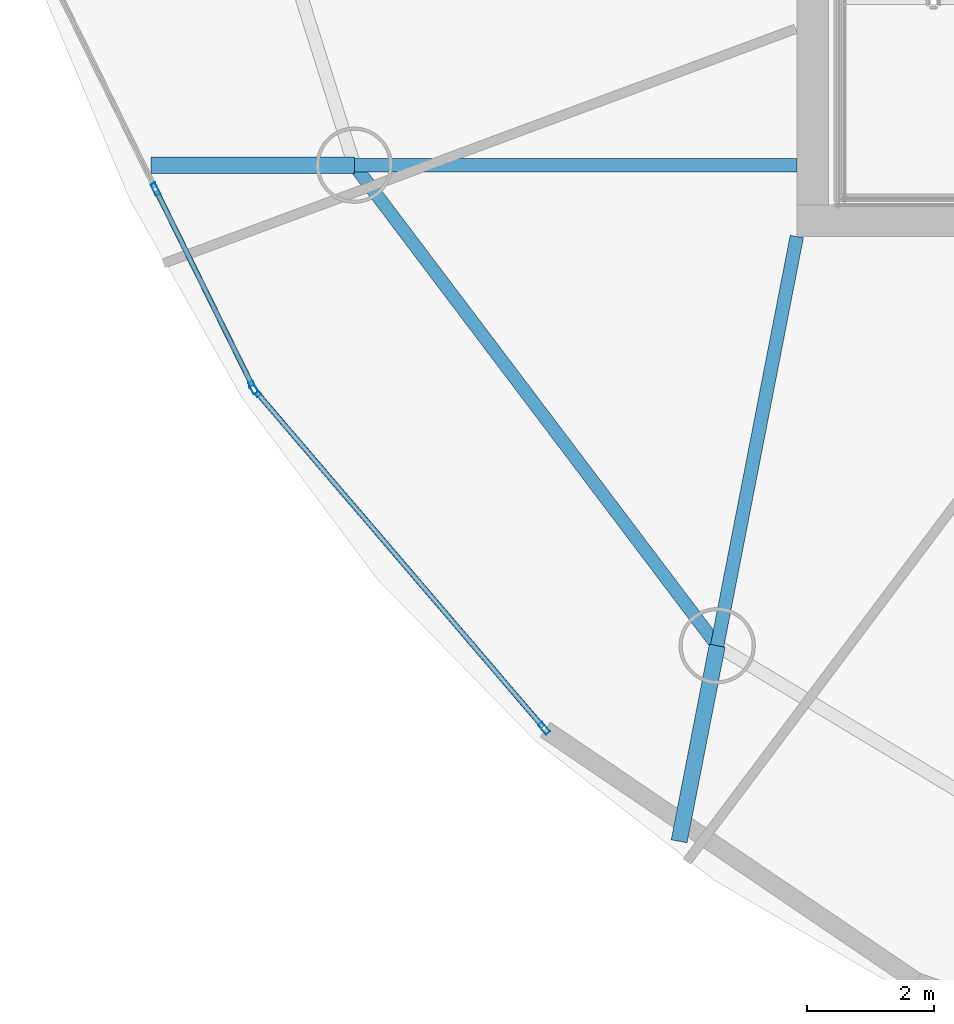
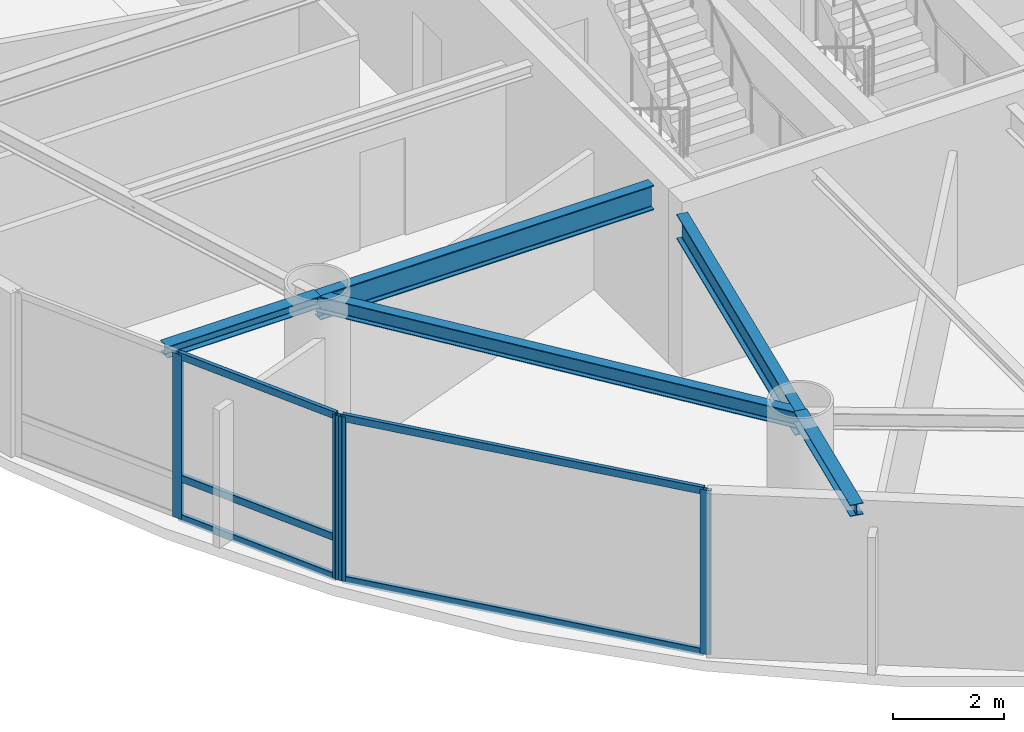
# One storey, part 2 of 19: 9 members, 5 beams, 2 elements without a shape of their own.
"""IFC4 building model written with IfcOpenShell, lengths in metres."""

from ifc_helpers import new_model, si_unit, direction, frame, origin, origin_2d, place, context, subcontext, project, spatial, hollow_rectangle, i_section, extrude, material, layer, layer_set, material_profile, profile_set, type_object, element, aggregate, save


model = new_model("IFC4")

# Units and contexts
model_context = context("Model", 3, precision=1e-05, world=origin(), true_north=direction((0.0, 1.0)))
body_context = subcontext(model_context, "Body", "Model", "MODEL_VIEW")
ifc_project = project(units=[si_unit("LENGTHUNIT", "METRE"), si_unit("AREAUNIT", "SQUARE_METRE"), si_unit("VOLUMEUNIT", "CUBIC_METRE"), si_unit("PLANEANGLEUNIT", "RADIAN"), si_unit("MASSUNIT", "GRAM", prefix="KILO")], contexts=[model_context])

# Site, building, storey
site_placement = place(None, origin())
site = spatial("IfcSite", under=ifc_project, at=site_placement, CompositionType="ELEMENT")
building_placement = place(site_placement, origin())
building = spatial("IfcBuilding", under=site, at=building_placement, Name="Bramvorn Convention Spire", CompositionType="ELEMENT")
storey_placement = place(building_placement, frame((0.0, 0.0, 198.14990234375)))
storey = spatial("IfcBuildingStorey", under=building, at=storey_placement, Name="L50", CompositionType="ELEMENT", Elevation=198.14990234375)

# Beams
ifc_material_1 = material(Name="Steel CSA G40.21 Grade 350 (350W)", Category="steel")
ifc_material_profile_1 = material_profile(ifc_material_1, i_section(OverallWidth=0.25390625, OverallDepth=0.2529296875, WebThickness=0.008544921875, FlangeThickness=0.01416015625, FilletRadius=0.011962890625, at=origin_2d()))
ifc_profile_set_1 = profile_set([ifc_material_profile_1], Name="Steel CSA G40.21 Grade 350 (350W) - W250X73")
beam_type_1 = type_object("IfcBeamType", Name="BM-W250X73", PredefinedType="BEAM", material=ifc_profile_set_1)
beam_1_placement = place(storey_placement, frame((19.78955078125, 19.672607421875, 3.49365234375), z_axis=(-1.0, 0.0, 0.0), x_axis=(0.0, -1.0, 0.0)))
element("IfcBeam", 1, at=beam_1_placement, inside=storey, type_object=beam_type_1, Name="L50 slab-edge cantilever tip beam MC12", PredefinedType="BEAM", context=body_context, shape_type="SweptSolid", body=[
    extrude(i_section(OverallWidth=0.25390625, OverallDepth=0.2529296875, WebThickness=0.008544921875, FlangeThickness=0.01416015625, FilletRadius=0.011962890625, at=origin_2d()), origin(), (0.0, 0.0, 1.0), 3.199951171875),
])
beam_2_placement = place(storey_placement, frame((25.498046875, 12.114990234375, 3.49365234375), z_axis=(-0.19097597644, -0.981594710878, 0.0), x_axis=(0.981594710878, -0.19097597644, 0.0)))
element("IfcBeam", 2, at=beam_2_placement, inside=storey, type_object=beam_type_1, Name="L50 slab-edge cantilever tip beam MC13", PredefinedType="BEAM", context=body_context, shape_type="SweptSolid", body=[
    extrude(i_section(OverallWidth=0.25390625, OverallDepth=0.2529296875, WebThickness=0.008544921875, FlangeThickness=0.01416015625, FilletRadius=0.011962890625, at=origin_2d()), origin(), (0.0, 0.0, 1.0), 3.134521484375),
])
ifc_material_profile_2 = material_profile(ifc_material_1, i_section(OverallWidth=0.205078125, OverallDepth=0.35400390625, WebThickness=0.009521484375, FlangeThickness=0.016845703125, FilletRadius=0.014892578125, at=origin_2d()))
ifc_profile_set_2 = profile_set([ifc_material_profile_2], Name="Steel CSA G40.21 Grade 350 (350W) - W360X79")
beam_type_2 = type_object("IfcBeamType", Name="BM-W360X79", PredefinedType="JOIST", material=ifc_profile_set_2)
beam_3_placement = place(storey_placement, frame((19.78955078125, 19.672607421875, 3.443115234375), z_axis=(0.602718581414, -0.797953827999, 0.0), x_axis=(0.797953827999, 0.602718581414, 0.0)))
element("IfcBeam", 3, at=beam_3_placement, inside=storey, type_object=beam_type_2, Name="L50 mega-column ring beam 12", PredefinedType="JOIST", context=body_context, shape_type="SweptSolid", body=[
    extrude(i_section(OverallWidth=0.205078125, OverallDepth=0.35400390625, WebThickness=0.009521484375, FlangeThickness=0.016845703125, FilletRadius=0.014892578125, at=origin_2d()), origin(), (0.0, 0.0, 1.0), 9.47119140625),
])
ifc_material_profile_3 = material_profile(ifc_material_1, i_section(OverallWidth=0.2119140625, OverallDepth=0.5439453125, WebThickness=0.01318359375, FlangeThickness=0.021240234375, FilletRadius=0.01904296875, at=origin_2d()))
ifc_profile_set_3 = profile_set([ifc_material_profile_3], Name="Steel CSA G40.21 Grade 350 (350W) - W530X123")
beam_type_3 = type_object("IfcBeamType", Name="BM-W530X123", PredefinedType="BEAM", material=ifc_profile_set_3)
beam_4_placement = place(storey_placement, frame((26.75, 19.672607421875, 3.34814453125), z_axis=(-1.0, 0.0, 0.0), x_axis=(0.0, -1.0, 0.0)))
element("IfcBeam", 4, at=beam_4_placement, inside=storey, type_object=beam_type_3, Name="L50 radial floor girder MC12", PredefinedType="BEAM", context=body_context, shape_type="SweptSolid", body=[
    extrude(i_section(OverallWidth=0.2119140625, OverallDepth=0.5439453125, WebThickness=0.01318359375, FlangeThickness=0.021240234375, FilletRadius=0.01904296875, at=origin_2d()), origin(), (0.0, 0.0, 1.0), 6.96044921875),
])
beam_5_placement = place(storey_placement, frame((26.75, 18.550048828125, 3.34814453125), z_axis=(-0.190971329886, -0.981595614885, 0.0), x_axis=(0.981595614885, -0.190971329886, 0.0)))
element("IfcBeam", 5, at=beam_5_placement, inside=storey, type_object=beam_type_3, Name="L50 radial floor girder MC13", PredefinedType="BEAM", context=body_context, shape_type="SweptSolid", body=[
    extrude(i_section(OverallWidth=0.2119140625, OverallDepth=0.5439453125, WebThickness=0.01318359375, FlangeThickness=0.021240234375, FilletRadius=0.01904296875, at=origin_2d()), origin(), (0.0, 0.0, 1.0), 6.5556640625),
])

# Curtain wall, members
ifc_material_2 = material(Name="Anodised Bronze Unitised Curtain Wall", Category="aluminium")
ifc_layer = layer(ifc_material_2, 0.179931640625)
ifc_layer_set = layer_set([ifc_layer], Name="Anodised Bronze Unitised Curtain Wall - CW-OFF-FRIT")
curtain_wall_type = type_object("IfcCurtainWallType", Name="CW-OFF-FRIT", PredefinedType="USERDEFINED", material=ifc_layer_set)
curtain_wall_1_placement = place(storey_placement, origin())
curtain_wall_1 = element("IfcCurtainWall", 6, at=curtain_wall_1_placement, inside=storey, type_object=curtain_wall_type, Name="L50 fritted glass curtain wall 17", ObjectType="UNITISED CURTAIN WALL", PredefinedType="USERDEFINED")
ifc_material_3 = material(Name="Anodised Bronze Aluminium 6063-T6", Category="aluminium")
ifc_material_profile_4 = material_profile(ifc_material_3, hollow_rectangle(XDim=0.080078125, YDim=0.199951171875, WallThickness=0.00390625, InnerFilletRadius=0.0009765625, OuterFilletRadius=0.00390625, at=origin_2d()))
ifc_profile_set_4 = profile_set([ifc_material_profile_4], Name="Anodised Bronze Aluminium 6063-T6 - CWM80X200")
member_type_1 = type_object("IfcMemberType", Name="CW-MUL-180", PredefinedType="MULLION", material=ifc_profile_set_4)
member_1_placement = place(storey_placement, frame((18.20068359375, 16.17431640625, 0.0), z_axis=(0.0, 0.0, 1.0), x_axis=(-0.897183011599, -0.441658967641, 0.0)))
member_1 = element("IfcMember", 7, at=member_1_placement, type_object=member_type_1, Name="CW3 mullion 1", PredefinedType="MULLION", context=body_context, shape_type="SweptSolid", body=[
    extrude(hollow_rectangle(XDim=0.080078125, YDim=0.199951171875, WallThickness=0.00390625, InnerFilletRadius=0.0009765625, OuterFilletRadius=0.00390625, at=origin_2d()), origin(), (0.0, 0.0, 1.0), 3.6201171875),
])
member_2_placement = place(storey_placement, frame((16.664306640625, 19.29541015625, 0.0), z_axis=(0.0, 0.0, 1.0), x_axis=(-0.897183011599, -0.441658967641, 0.0)))
member_2 = element("IfcMember", 8, at=member_2_placement, type_object=member_type_1, Name="CW3 mullion 2", PredefinedType="MULLION", context=body_context, shape_type="SweptSolid", body=[
    extrude(hollow_rectangle(XDim=0.080078125, YDim=0.199951171875, WallThickness=0.00390625, InnerFilletRadius=0.0009765625, OuterFilletRadius=0.00390625, at=origin_2d()), origin(), (0.0, 0.0, 1.0), 3.6201171875),
])

curtain_wall_2_placement = place(storey_placement, origin())
curtain_wall_2 = element("IfcCurtainWall", 9, at=curtain_wall_2_placement, inside=storey, type_object=curtain_wall_type, Name="L50 fritted glass curtain wall 18", ObjectType="UNITISED CURTAIN WALL", PredefinedType="USERDEFINED")
member_3_placement = place(storey_placement, frame((22.775146484375, 10.81689453125, 0.0), z_axis=(0.0, 0.0, 1.0), x_axis=(-0.759787350091, -0.650171656289, 0.0)))
member_3 = element("IfcMember", 10, at=member_3_placement, type_object=member_type_1, Name="CW3 mullion 1", PredefinedType="MULLION", context=body_context, shape_type="SweptSolid", body=[
    extrude(hollow_rectangle(XDim=0.080078125, YDim=0.199951171875, WallThickness=0.00390625, InnerFilletRadius=0.0009765625, OuterFilletRadius=0.00390625, at=origin_2d()), origin(), (0.0, 0.0, 1.0), 3.6201171875),
])
member_4_placement = place(storey_placement, frame((18.2333984375, 16.12451171875, 0.0), z_axis=(0.0, 0.0, 1.0), x_axis=(-0.759787350091, -0.650171656289, 0.0)))
member_4 = element("IfcMember", 11, at=member_4_placement, type_object=member_type_1, Name="CW3 mullion 2", PredefinedType="MULLION", context=body_context, shape_type="SweptSolid", body=[
    extrude(hollow_rectangle(XDim=0.080078125, YDim=0.199951171875, WallThickness=0.00390625, InnerFilletRadius=0.0009765625, OuterFilletRadius=0.00390625, at=origin_2d()), origin(), (0.0, 0.0, 1.0), 3.6201171875),
])

# Member
ifc_material_profile_5 = material_profile(ifc_material_3, hollow_rectangle(XDim=0.080078125, YDim=0.159912109375, WallThickness=0.00390625, InnerFilletRadius=0.0009765625, OuterFilletRadius=0.00390625, at=origin_2d()))
ifc_profile_set_5 = profile_set([ifc_material_profile_5], Name="Anodised Bronze Aluminium 6063-T6 - CWT80X160")
member_type_2 = type_object("IfcMemberType", Name="CW-TRN-150", PredefinedType="USERDEFINED", material=ifc_profile_set_5)
member_5_placement = place(storey_placement, frame((18.1875, 16.201171875, 0.030029296875), z_axis=(-0.441663686622, 0.897180688557, 0.0), x_axis=(-0.897180688557, -0.441663686622, 0.0)))
member_5 = element("IfcMember", 12, at=member_5_placement, type_object=member_type_2, Name="CW3 transom 1.1", ObjectType="TRANSOM", PredefinedType="USERDEFINED", context=body_context, shape_type="SweptSolid", body=[
    extrude(hollow_rectangle(XDim=0.080078125, YDim=0.159912109375, WallThickness=0.00390625, InnerFilletRadius=0.0009765625, OuterFilletRadius=0.00390625, at=origin_2d()), origin(), (0.0, 0.0, 1.0), 3.4189453125),
])

member_6_placement = place(storey_placement, frame((18.1875, 16.201171875, 0.900146484375), z_axis=(-0.441663686622, 0.897180688557, 0.0), x_axis=(-0.897180688557, -0.441663686622, 0.0)))
member_6 = element("IfcMember", 13, at=member_6_placement, type_object=member_type_2, Name="CW3 transom 1.2", ObjectType="TRANSOM", PredefinedType="USERDEFINED", context=body_context, shape_type="SweptSolid", body=[
    extrude(hollow_rectangle(XDim=0.080078125, YDim=0.159912109375, WallThickness=0.00390625, InnerFilletRadius=0.0009765625, OuterFilletRadius=0.00390625, at=origin_2d()), origin(), (0.0, 0.0, 1.0), 3.4189453125),
])

member_7_placement = place(storey_placement, frame((18.1875, 16.201171875, 3.590087890625), z_axis=(-0.441663686622, 0.897180688557, 0.0), x_axis=(-0.897180688557, -0.441663686622, 0.0)))
member_7 = element("IfcMember", 14, at=member_7_placement, type_object=member_type_2, Name="CW3 transom 1.3", ObjectType="TRANSOM", PredefinedType="USERDEFINED", context=body_context, shape_type="SweptSolid", body=[
    extrude(hollow_rectangle(XDim=0.080078125, YDim=0.159912109375, WallThickness=0.00390625, InnerFilletRadius=0.0009765625, OuterFilletRadius=0.00390625, at=origin_2d()), origin(), (0.0, 0.0, 1.0), 3.4189453125),
])

aggregate(curtain_wall_1, [member_1, member_2, member_5, member_6, member_7])

member_8_placement = place(storey_placement, frame((22.755615234375, 10.83984375, 0.030029296875), z_axis=(-0.650161167191, 0.759796325786, 0.0), x_axis=(-0.759796325786, -0.650161167191, 0.0)))
member_8 = element("IfcMember", 15, at=member_8_placement, type_object=member_type_2, Name="CW3 transom 1.1", ObjectType="TRANSOM", PredefinedType="USERDEFINED", context=body_context, shape_type="SweptSolid", body=[
    extrude(hollow_rectangle(XDim=0.080078125, YDim=0.159912109375, WallThickness=0.00390625, InnerFilletRadius=0.0009765625, OuterFilletRadius=0.00390625, at=origin_2d()), origin(), (0.0, 0.0, 1.0), 6.925537109375),
])

member_9_placement = place(storey_placement, frame((22.755615234375, 10.83984375, 3.590087890625), z_axis=(-0.650161167191, 0.759796325786, 0.0), x_axis=(-0.759796325786, -0.650161167191, 0.0)))
member_9 = element("IfcMember", 16, at=member_9_placement, type_object=member_type_2, Name="CW3 transom 1.2", ObjectType="TRANSOM", PredefinedType="USERDEFINED", context=body_context, shape_type="SweptSolid", body=[
    extrude(hollow_rectangle(XDim=0.080078125, YDim=0.159912109375, WallThickness=0.00390625, InnerFilletRadius=0.0009765625, OuterFilletRadius=0.00390625, at=origin_2d()), origin(), (0.0, 0.0, 1.0), 6.925537109375),
])

aggregate(curtain_wall_2, [member_3, member_4, member_8, member_9])

save(model, "model.ifc")
